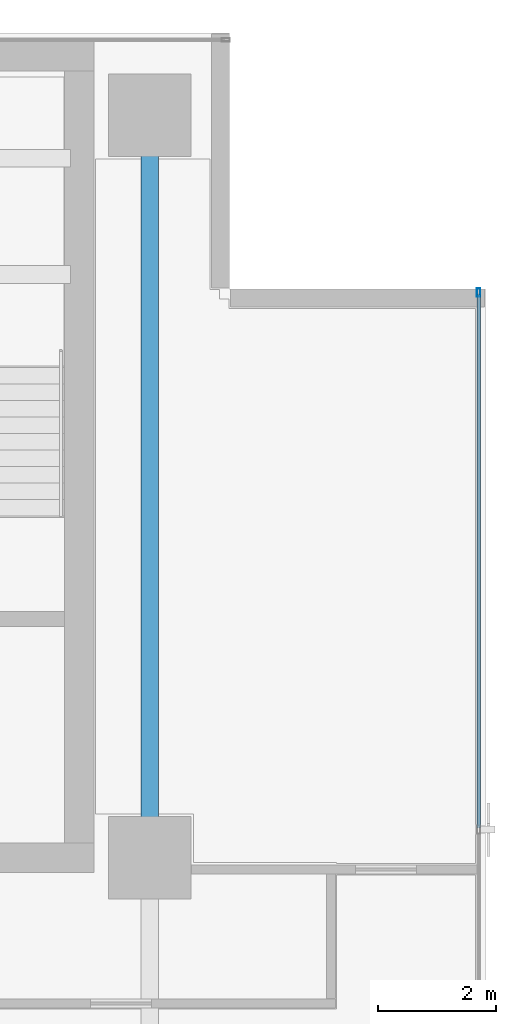
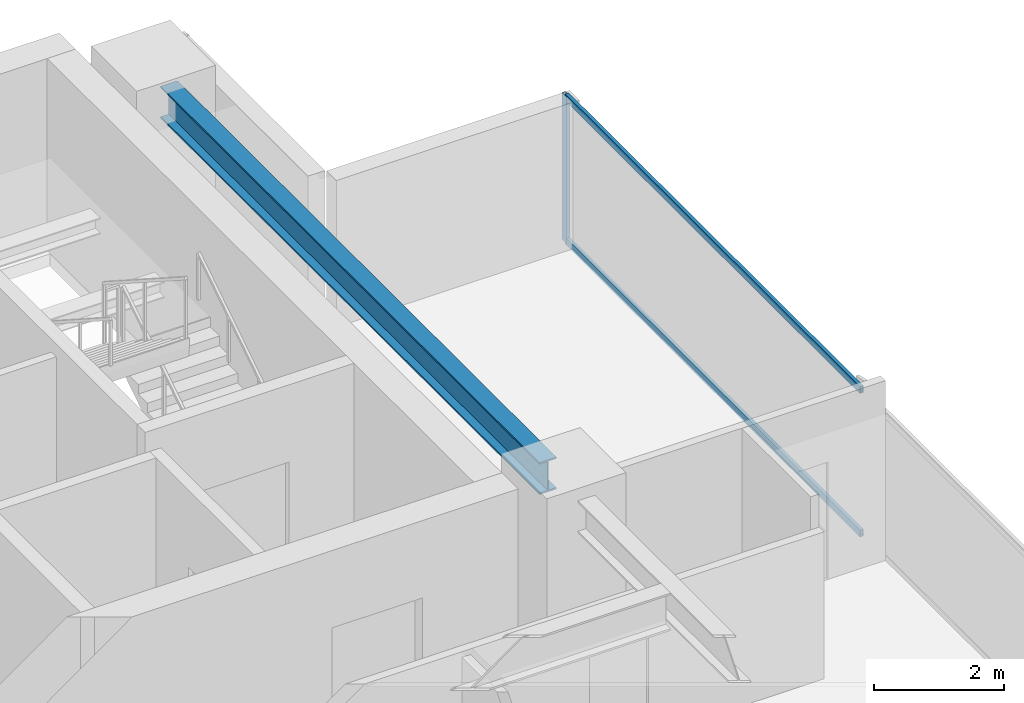
# One storey, part 14 of 25: 3 members, 1 beam, 1 element without a shape of its own.
"""IFC4 building model written with IfcOpenShell, lengths in metres."""

from ifc_helpers import new_model, si_unit, direction, frame, origin, origin_2d, place, context, subcontext, project, spatial, hollow_rectangle, i_section, extrude, source, transform, mapped, material, layer, layer_set, material_profile, profile_set, type_object, element, aggregate, save


model = new_model("IFC4")

# Units and contexts
model_context = context("Model", 3, precision=1e-05, world=origin(), true_north=direction((0.0, 1.0)))
body_context = subcontext(model_context, "Body", "Model", "MODEL_VIEW")
ifc_project = project(units=[si_unit("LENGTHUNIT", "METRE"), si_unit("AREAUNIT", "SQUARE_METRE"), si_unit("VOLUMEUNIT", "CUBIC_METRE"), si_unit("PLANEANGLEUNIT", "RADIAN"), si_unit("MASSUNIT", "GRAM", prefix="KILO")], contexts=[model_context])

# Site, building, storey
site_placement = place(None, origin())
site = spatial("IfcSite", under=ifc_project, at=site_placement, CompositionType="ELEMENT")
building_placement = place(site_placement, origin())
building = spatial("IfcBuilding", under=site, at=building_placement, Name="Sumidabori Civic Tower", CompositionType="ELEMENT")
storey_placement = place(building_placement, frame((0.0, 0.0, 246.800048828125)))
storey = spatial("IfcBuildingStorey", under=building, at=storey_placement, Name="L64", CompositionType="ELEMENT", Elevation=246.800048828125)

# Beam
ifc_material_1 = material(Name="Steel SN490", Category="steel")
ifc_material_profile_1 = material_profile(ifc_material_1, i_section(OverallWidth=0.300048828125, OverallDepth=0.60009765625, WebThickness=0.015380859375, FlangeThickness=0.030029296875, at=origin_2d()), Name="HE 600 B")
ifc_profile_set_1 = profile_set([ifc_material_profile_1], Name="Steel SN490")
beam_type = type_object("IfcBeamType", Name="BM-GIRD-600", PredefinedType="BEAM", material=ifc_profile_set_1)
shared_shape_1 = source(origin(), body_context, "Body", "SweptSolid", [
    extrude(i_section(OverallWidth=0.300048828125, OverallDepth=0.60009765625, WebThickness=0.015380859375, FlangeThickness=0.030029296875, at=origin_2d()), origin(), (0.0, 0.0, 1.0), 11.64013671875),
])
beam_placement = place(storey_placement, frame((16.800048828125, 10.679931640625, 3.070068359375), z_axis=(0.0, 1.0, 0.0), x_axis=(-1.0, 0.0, 0.0)))
element("IfcBeam", 1, at=beam_placement, inside=storey, type_object=beam_type, Name="Primary Girder L64 GY-17", PredefinedType="BEAM", context=body_context, shape_type="MappedRepresentation", body=[
    mapped(shared_shape_1, transform((0.0, 0.0, 0.0), x_axis=(1.0, 0.0, 0.0), y_axis=(0.0, 1.0, 0.0), z_axis=(0.0, 0.0, 1.0), scale=1.0)),
])

# Curtain wall, members
ifc_material_2 = material(Name="Anodised Bronze Aluminium AW-6063-T6", Category="aluminium")
ifc_layer = layer(ifc_material_2, 0.179931640625, Name="Anodised Bronze Aluminium AW-6063-T6")
ifc_layer_set = layer_set([ifc_layer], Name="Anodised Bronze Aluminium AW-6063-T6")
curtain_wall_type = type_object("IfcCurtainWallType", Name="CW-SYS-5", PredefinedType="NOTDEFINED", material=ifc_layer_set)
curtain_wall_placement = place(storey_placement, origin())
curtain_wall = element("IfcCurtainWall", 2, at=curtain_wall_placement, inside=storey, type_object=curtain_wall_type, Name="Curtain Wall CW:L64:R04", PredefinedType="NOTDEFINED")
ifc_material_profile_2 = material_profile(ifc_material_2, hollow_rectangle(XDim=0.06005859375, YDim=0.139892578125, WallThickness=0.0048828125, at=origin_2d()), Name="ALU MULLION 140x60")
ifc_profile_set_2 = profile_set([ifc_material_profile_2], Name="Anodised Bronze Aluminium AW-6063-T6")
member_type_1 = type_object("IfcMemberType", Name="CW-MUL-140", PredefinedType="MULLION", material=ifc_profile_set_2)
shared_shape_2 = source(origin(), body_context, "Body", "SweptSolid", [
    extrude(hollow_rectangle(XDim=0.06005859375, YDim=0.139892578125, WallThickness=0.0048828125, at=origin_2d()), origin(), (0.0, 0.0, 1.0), 2.75),
])
member_1_placement = place(storey_placement, frame((22.3798828125, 19.7900390625, 0.0), z_axis=(0.0, 0.0, 1.0), x_axis=(-1.0, 0.0, 0.0)))
member_1 = element("IfcMember", 3, at=member_1_placement, type_object=member_type_1, Name="CW-5 mullion 4", PredefinedType="MULLION", context=body_context, shape_type="MappedRepresentation", body=[
    mapped(shared_shape_2, transform((0.0, 0.0, 0.0), x_axis=(1.0, 0.0, 0.0), y_axis=(0.0, 1.0, 0.0), z_axis=(0.0, 0.0, 1.0), scale=1.0)),
])
ifc_material_profile_3 = material_profile(ifc_material_2, hollow_rectangle(XDim=0.06005859375, YDim=0.1298828125, WallThickness=0.0048828125, at=origin_2d()), Name="ALU TRANSOM 130x60")
ifc_profile_set_3 = profile_set([ifc_material_profile_3], Name="Anodised Bronze Aluminium AW-6063-T6")
member_type_2 = type_object("IfcMemberType", Name="CW-TRN-130", PredefinedType="USERDEFINED", material=ifc_profile_set_3)
shared_shape_3 = source(origin(), body_context, "Body", "SweptSolid", [
    extrude(hollow_rectangle(XDim=0.06005859375, YDim=0.1298828125, WallThickness=0.0048828125, at=origin_2d()), origin(), (0.0, 0.0, 1.0), 9.056640625),
])
member_2_placement = place(storey_placement, frame((22.3798828125, 10.703369140625, 0.030029296875), z_axis=(0.0, 1.0, 0.0), x_axis=(-1.0, 0.0, 0.0)))
member_2 = element("IfcMember", 4, at=member_2_placement, type_object=member_type_2, Name="CW-5 transom 3.1", ObjectType="TRANSOM", PredefinedType="USERDEFINED", context=body_context, shape_type="MappedRepresentation", body=[
    mapped(shared_shape_3, transform((0.0, 0.0, 0.0), x_axis=(1.0, 0.0, 0.0), y_axis=(0.0, 1.0, 0.0), z_axis=(0.0, 0.0, 1.0), scale=1.0)),
])
member_3_placement = place(storey_placement, frame((22.3798828125, 10.703369140625, 2.719970703125), z_axis=(0.0, 1.0, 0.0), x_axis=(-1.0, 0.0, 0.0)))
member_3 = element("IfcMember", 5, at=member_3_placement, type_object=member_type_2, Name="CW-5 transom 3.2", ObjectType="TRANSOM", PredefinedType="USERDEFINED", context=body_context, shape_type="MappedRepresentation", body=[
    mapped(shared_shape_3, transform((0.0, 0.0, 0.0), x_axis=(1.0, 0.0, 0.0), y_axis=(0.0, 1.0, 0.0), z_axis=(0.0, 0.0, 1.0), scale=1.0)),
])
aggregate(curtain_wall, [member_1, member_2, member_3])

save(model, "model.ifc")
